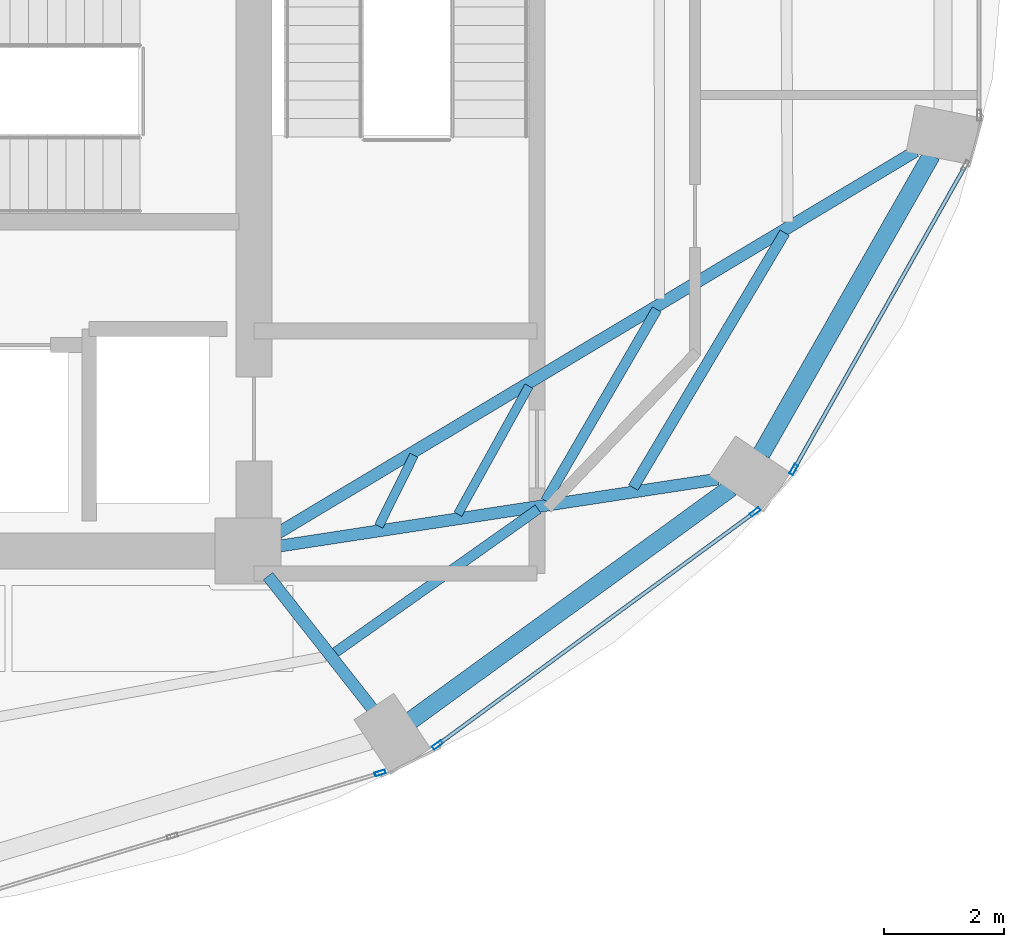
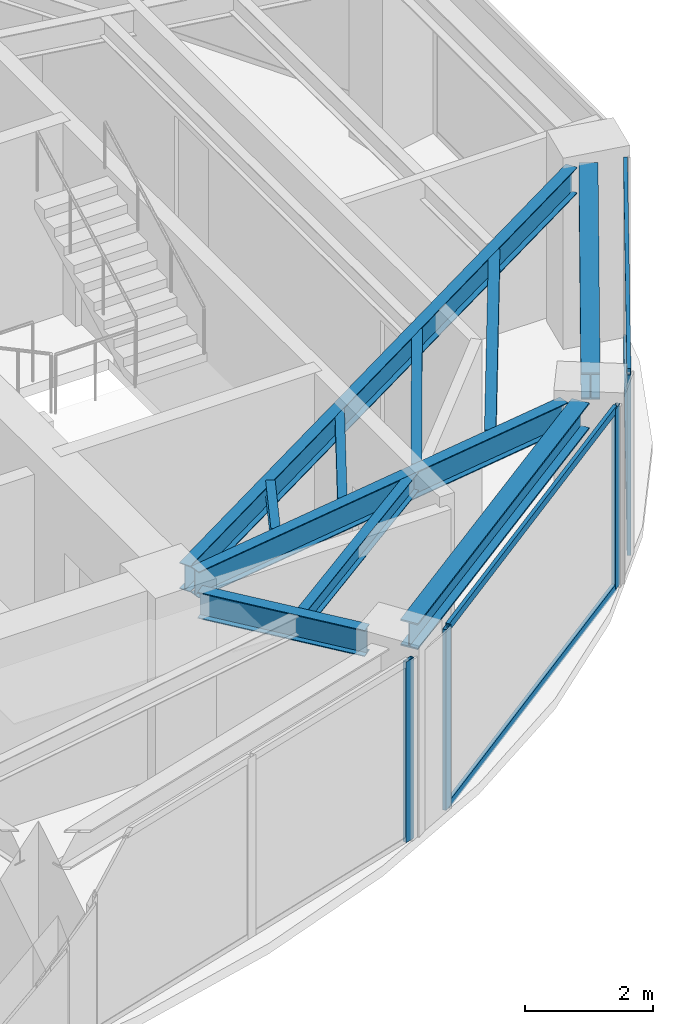
# One storey, part 13 of 23: 10 beams, 8 members, 3 elements without a shape of their own.
"""IFC4 building model written with IfcOpenShell, lengths in metres."""

from ifc_helpers import new_model, si_unit, direction, frame, origin, origin_2d, place, context, subcontext, project, spatial, hollow_rectangle, i_section, extrude, material, layer, layer_set, material_profile, profile_set, type_object, element, aggregate, save


model = new_model("IFC4")

# Units and contexts
model_context = context("Model", 3, precision=1e-05, world=origin(), true_north=direction((0.0, 1.0)))
body_context = subcontext(model_context, "Body", "Model", "MODEL_VIEW")
ifc_project = project(units=[si_unit("LENGTHUNIT", "METRE"), si_unit("AREAUNIT", "SQUARE_METRE"), si_unit("VOLUMEUNIT", "CUBIC_METRE"), si_unit("PLANEANGLEUNIT", "RADIAN"), si_unit("MASSUNIT", "GRAM", prefix="KILO")], contexts=[model_context])

# Site, building, storey
site_placement = place(None, origin())
site = spatial("IfcSite", under=ifc_project, at=site_placement, CompositionType="ELEMENT")
building_placement = place(site_placement, origin())
building = spatial("IfcBuilding", under=site, at=building_placement, Name="Lazwardi Medical Tower", CompositionType="ELEMENT")
storey_placement = place(building_placement, frame((0.0, 0.0, 205.77587890625)))
storey = spatial("IfcBuildingStorey", under=building, at=storey_placement, Name="L53", CompositionType="ELEMENT", Elevation=205.77587890625)

# Beams
ifc_material_1 = material(Name="Steel S355", Category="steel")
ifc_material_profile_1 = material_profile(ifc_material_1, i_section(OverallWidth=0.300048828125, OverallDepth=0.5, WebThickness=0.014404296875, FlangeThickness=0.028076171875, at=origin_2d()), Name="HEB 500")
ifc_profile_set_1 = profile_set([ifc_material_profile_1], Name="Steel S355")
beam_type_1 = type_object("IfcBeamType", Name="BM-RB-Z4", PredefinedType="BEAM", material=ifc_profile_set_1)
beam_1_placement = place(storey_placement, frame((48.31591796875, 17.5751953125, 3.1982421875), z_axis=(0.808889916254, 0.587960120571, 0.0), x_axis=(-0.587960120571, 0.808889916254, 0.0)))
element("IfcBeam", 1, at=beam_1_placement, inside=storey, type_object=beam_type_1, Name="Ring beam RB-05 B02 L53", PredefinedType="BEAM", context=body_context, shape_type="SweptSolid", body=[
    extrude(i_section(OverallWidth=0.300048828125, OverallDepth=0.5, WebThickness=0.014404296875, FlangeThickness=0.028076171875, at=origin_2d()), origin(), (0.0, 0.0, 1.0), 6.587158203125),
])
beam_2_placement = place(storey_placement, frame((54.15283203125, 22.016357421875, 3.1982421875), z_axis=(0.495125273299, 0.868821594886, 0.0), x_axis=(-0.868821594886, 0.495125273299, 0.0)))
element("IfcBeam", 2, at=beam_2_placement, inside=storey, type_object=beam_type_1, Name="Ring beam RB-05 B03 L53", PredefinedType="BEAM", context=body_context, shape_type="SweptSolid", body=[
    extrude(i_section(OverallWidth=0.300048828125, OverallDepth=0.5, WebThickness=0.014404296875, FlangeThickness=0.028076171875, at=origin_2d()), origin(), (0.0, 0.0, 1.0), 5.734130859375),
])
ifc_material_profile_2 = material_profile(ifc_material_1, i_section(OverallWidth=0.199951171875, OverallDepth=0.5, WebThickness=0.01025390625, FlangeThickness=0.01611328125, at=origin_2d()), Name="IPE 500")
ifc_profile_set_2 = profile_set([ifc_material_profile_2], Name="Steel S355")
beam_type_2 = type_object("IfcBeamType", Name="BM-RG-W3", PredefinedType="BEAM", material=ifc_profile_set_2)
beam_3_placement = place(storey_placement, frame((47.669677734375, 17.7666015625, 3.1982421875), z_axis=(-0.617890508382, 0.786264153864, 0.0), x_axis=(-0.786264153864, -0.617890508382, 0.0)))
element("IfcBeam", 3, at=beam_3_placement, inside=storey, type_object=beam_type_2, Name="Radial girder RG-04 R02 L53", PredefinedType="BEAM", context=body_context, shape_type="SweptSolid", body=[
    extrude(i_section(OverallWidth=0.199951171875, OverallDepth=0.5, WebThickness=0.01025390625, FlangeThickness=0.01611328125, at=origin_2d()), origin(), (0.0, 0.0, 1.0), 2.814453125),
])
beam_4_placement = place(storey_placement, frame((53.430908203125, 21.5966796875, 3.1982421875), z_axis=(-0.988522137285, -0.151076087115, 0.0), x_axis=(0.151076087115, -0.988522137285, 0.0)))
element("IfcBeam", 4, at=beam_4_placement, inside=storey, type_object=beam_type_2, Name="Radial girder RG-04 R03 L53", PredefinedType="BEAM", context=body_context, shape_type="SweptSolid", body=[
    extrude(i_section(OverallWidth=0.199951171875, OverallDepth=0.5, WebThickness=0.01025390625, FlangeThickness=0.01611328125, at=origin_2d()), origin(), (0.0, 0.0, 1.0), 7.38671875),
])
beam_5_placement = place(storey_placement, frame((56.72607421875, 27.062255859375, 3.1982421875), z_axis=(-0.857944804603, -0.513741873176, 0.0), x_axis=(0.513741873176, -0.857944804603, 0.0)))
element("IfcBeam", 5, at=beam_5_placement, inside=storey, type_object=beam_type_2, Name="Radial girder RG-04 R04 L53", PredefinedType="BEAM", context=body_context, shape_type="SweptSolid", body=[
    extrude(i_section(OverallWidth=0.199951171875, OverallDepth=0.5, WebThickness=0.01025390625, FlangeThickness=0.01611328125, at=origin_2d()), origin(), (0.0, 0.0, 1.0), 12.43310546875),
])
ifc_material_profile_3 = material_profile(ifc_material_1, i_section(OverallWidth=0.179931640625, OverallDepth=0.39990234375, WebThickness=0.008544921875, FlangeThickness=0.013427734375, at=origin_2d()), Name="IPE 400")
ifc_profile_set_3 = profile_set([ifc_material_profile_3], Name="Steel S355")
beam_type_3 = type_object("IfcBeamType", Name="BM-SJ-01", PredefinedType="JOIST", material=ifc_profile_set_3)
beam_6_placement = place(storey_placement, frame((52.01904296875, 21.455078125, 3.248046875), z_axis=(0.510967866251, 0.859599813668, 0.0), x_axis=(-0.859599813668, 0.510967866251, 0.0)))
element("IfcBeam", 6, at=beam_6_placement, inside=storey, type_object=beam_type_3, Name="Secondary joist SJ-01 R1 B03 L53", PredefinedType="JOIST", context=body_context, shape_type="SweptSolid", body=[
    extrude(i_section(OverallWidth=0.179931640625, OverallDepth=0.39990234375, WebThickness=0.008544921875, FlangeThickness=0.013427734375, at=origin_2d()), origin(), (0.0, 0.0, 1.0), 4.94189453125),
])
ifc_material_profile_4 = material_profile(ifc_material_1, i_section(OverallWidth=0.169921875, OverallDepth=0.360107421875, WebThickness=0.008056640625, FlangeThickness=0.0126953125, at=origin_2d()), Name="IPE 360")
ifc_profile_set_4 = profile_set([ifc_material_profile_4], Name="Steel S355")
beam_type_4 = type_object("IfcBeamType", Name="BM-SJ-02", PredefinedType="JOIST", material=ifc_profile_set_4)
beam_7_placement = place(storey_placement, frame((47.051513671875, 18.70654296875, 3.26806640625), z_axis=(0.816711190406, 0.577046645832, 0.0), x_axis=(-0.577046645832, 0.816711190406, 0.0)))
element("IfcBeam", 7, at=beam_7_placement, inside=storey, type_object=beam_type_4, Name="Secondary joist SJ-02 R2 B02 L53", PredefinedType="JOIST", context=body_context, shape_type="SweptSolid", body=[
    extrude(i_section(OverallWidth=0.169921875, OverallDepth=0.360107421875, WebThickness=0.008056640625, FlangeThickness=0.0126953125, at=origin_2d()), origin(), (0.0, 0.0, 1.0), 4.139892578125),
])
beam_8_placement = place(storey_placement, frame((50.5576171875, 21.232421875, 3.26806640625), z_axis=(0.50218018565, 0.864763008657, 0.0), x_axis=(-0.864763008657, 0.50218018565, 0.0)))
element("IfcBeam", 8, at=beam_8_placement, inside=storey, type_object=beam_type_4, Name="Secondary joist SJ-02 R2 B03 L53", PredefinedType="JOIST", context=body_context, shape_type="SweptSolid", body=[
    extrude(i_section(OverallWidth=0.169921875, OverallDepth=0.360107421875, WebThickness=0.008056640625, FlangeThickness=0.0126953125, at=origin_2d()), origin(), (0.0, 0.0, 1.0), 3.69189453125),
])
ifc_material_profile_5 = material_profile(ifc_material_1, i_section(OverallWidth=0.14990234375, OverallDepth=0.300048828125, WebThickness=0.007080078125, FlangeThickness=0.0107421875, at=origin_2d()), Name="IPE 300")
ifc_profile_set_5 = profile_set([ifc_material_profile_5], Name="Steel S355")
beam_type_5 = type_object("IfcBeamType", Name="BM-SJ-03", PredefinedType="JOIST", material=ifc_profile_set_5)
beam_9_placement = place(storey_placement, frame((49.095703125, 21.01025390625, 3.298095703125), z_axis=(0.484751625998, 0.874651851363, 0.0), x_axis=(-0.874651851363, 0.484751625998, 0.0)))
element("IfcBeam", 9, at=beam_9_placement, inside=storey, type_object=beam_type_5, Name="Secondary joist SJ-03 R3 B03 L53", PredefinedType="JOIST", context=body_context, shape_type="SweptSolid", body=[
    extrude(i_section(OverallWidth=0.14990234375, OverallDepth=0.300048828125, WebThickness=0.007080078125, FlangeThickness=0.0107421875, at=origin_2d()), origin(), (0.0, 0.0, 1.0), 2.442626953125),
])
beam_10_placement = place(storey_placement, frame((47.777587890625, 20.811279296875, 3.298095703125), z_axis=(0.443587297772, 0.89623116954, 0.0), x_axis=(-0.89623116954, 0.443587297772, 0.0)))
element("IfcBeam", 10, at=beam_10_placement, inside=storey, type_object=beam_type_5, Name="Secondary joist SJ-03 R4 B03 L53", PredefinedType="JOIST", context=body_context, shape_type="SweptSolid", body=[
    extrude(i_section(OverallWidth=0.14990234375, OverallDepth=0.300048828125, WebThickness=0.007080078125, FlangeThickness=0.0107421875, at=origin_2d()), origin(), (0.0, 0.0, 1.0), 1.32080078125),
])

# Curtain wall, member
ifc_material_2 = material(Name="Anodised bronze aluminium and solar control glazing", Category="aluminium")
ifc_layer = layer(ifc_material_2, 0.18994140625)
ifc_layer_set = layer_set([ifc_layer], Name="Anodised bronze aluminium and solar control glazing")
curtain_wall_type = type_object("IfcCurtainWallType", Name="CW-SYS-04", PredefinedType="NOTDEFINED", material=ifc_layer_set)
curtain_wall_1_placement = place(storey_placement, origin())
curtain_wall_1 = element("IfcCurtainWall", 11, at=curtain_wall_1_placement, inside=storey, type_object=curtain_wall_type, Name="L53 Unitised bronze curtain wall CW-04", PredefinedType="NOTDEFINED")
ifc_material_3 = material(Name="Anodised bronze aluminium", Category="aluminium")
ifc_material_profile_6 = material_profile(ifc_material_3, hollow_rectangle(XDim=0.06494140625, YDim=0.179931640625, WallThickness=0.00390625, at=origin_2d()), Name="ALU-MULLION 180x65x4")
ifc_profile_set_6 = profile_set([ifc_material_profile_6], Name="Anodised bronze aluminium")
member_type_1 = type_object("IfcMemberType", Name="CW-MUL-03", PredefinedType="MULLION", material=ifc_profile_set_6)
member_1_placement = place(storey_placement, frame((47.7998046875, 16.696533203125, 0.0), z_axis=(0.0, 0.0, 1.0), x_axis=(-0.290581889515, 0.956850126972, 0.0)))
member_1 = element("IfcMember", 12, at=member_1_placement, type_object=member_type_1, Name="CW-04 mullion 3", PredefinedType="MULLION", context=body_context, shape_type="SweptSolid", body=[
    extrude(hollow_rectangle(XDim=0.06494140625, YDim=0.179931640625, WallThickness=0.00390625, at=origin_2d()), origin(), (0.0, 0.0, 1.0), 3.4482421875),
])
aggregate(curtain_wall_1, [member_1])

# Curtain wall, members
curtain_wall_2_placement = place(storey_placement, origin())
curtain_wall_2 = element("IfcCurtainWall", 13, at=curtain_wall_2_placement, inside=storey, type_object=curtain_wall_type, Name="L53 Unitised bronze curtain wall CW-04", PredefinedType="NOTDEFINED")
member_2_placement = place(storey_placement, frame((48.75537109375, 17.1650390625, 0.0), z_axis=(0.0, 0.0, 1.0), x_axis=(-0.591268230971, 0.806474971121, 0.0)))
member_2 = element("IfcMember", 14, at=member_2_placement, type_object=member_type_1, Name="CW-04 mullion 1", PredefinedType="MULLION", context=body_context, shape_type="SweptSolid", body=[
    extrude(hollow_rectangle(XDim=0.06494140625, YDim=0.179931640625, WallThickness=0.00390625, at=origin_2d()), origin(), (0.0, 0.0, 1.0), 3.4482421875),
])
member_3_placement = place(storey_placement, frame((54.052001953125, 21.04833984375, 0.0), z_axis=(0.0, 0.0, 1.0), x_axis=(-0.591268230971, 0.806474971121, 0.0)))
member_3 = element("IfcMember", 15, at=member_3_placement, type_object=member_type_1, Name="CW-04 mullion 2", PredefinedType="MULLION", context=body_context, shape_type="SweptSolid", body=[
    extrude(hollow_rectangle(XDim=0.06494140625, YDim=0.179931640625, WallThickness=0.00390625, at=origin_2d()), origin(), (0.0, 0.0, 1.0), 3.4482421875),
])

# Curtain wall, member
curtain_wall_3_placement = place(storey_placement, origin())
curtain_wall_3 = element("IfcCurtainWall", 16, at=curtain_wall_3_placement, inside=storey, type_object=curtain_wall_type, Name="L53 Unitised bronze curtain wall CW-04", PredefinedType="NOTDEFINED")
member_4_placement = place(storey_placement, frame((54.6943359375, 21.75439453125, 0.0), z_axis=(0.0, 0.0, 1.0), x_axis=(-0.870651436011, 0.491900474661, 0.0)))
member_4 = element("IfcMember", 17, at=member_4_placement, type_object=member_type_1, Name="CW-04 mullion 1", PredefinedType="MULLION", context=body_context, shape_type="SweptSolid", body=[
    extrude(hollow_rectangle(XDim=0.06494140625, YDim=0.179931640625, WallThickness=0.00390625, at=origin_2d()), origin(), (0.0, 0.0, 1.0), 3.4482421875),
])

# Member
ifc_material_profile_7 = material_profile(ifc_material_3, hollow_rectangle(XDim=0.06494140625, YDim=0.139892578125, WallThickness=0.00341796875, at=origin_2d()), Name="ALU-TRANSOM 140x65x3.5")
ifc_profile_set_7 = profile_set([ifc_material_profile_7], Name="Anodised bronze aluminium")
member_type_2 = type_object("IfcMemberType", Name="CW-TRN-03", PredefinedType="USERDEFINED", material=ifc_profile_set_7)
member_5_placement = place(storey_placement, frame((48.781494140625, 17.184326171875, 0.03271484375), z_axis=(0.80648973359, 0.591248094808, 0.0), x_axis=(-0.591248094808, 0.80648973359, 0.0)))
member_5 = element("IfcMember", 18, at=member_5_placement, type_object=member_type_2, Name="CW-04 transom 1.1", ObjectType="TRANSOM", PredefinedType="USERDEFINED", context=body_context, shape_type="SweptSolid", body=[
    extrude(hollow_rectangle(XDim=0.06494140625, YDim=0.139892578125, WallThickness=0.00341796875, at=origin_2d()), origin(), (0.0, 0.0, 1.0), 6.502685546875),
])

member_6_placement = place(storey_placement, frame((48.781494140625, 17.184326171875, 3.41552734375), z_axis=(0.80648973359, 0.591248094808, 0.0), x_axis=(-0.591248094808, 0.80648973359, 0.0)))
member_6 = element("IfcMember", 19, at=member_6_placement, type_object=member_type_2, Name="CW-04 transom 1.2", ObjectType="TRANSOM", PredefinedType="USERDEFINED", context=body_context, shape_type="SweptSolid", body=[
    extrude(hollow_rectangle(XDim=0.06494140625, YDim=0.139892578125, WallThickness=0.00341796875, at=origin_2d()), origin(), (0.0, 0.0, 1.0), 6.502685546875),
])

aggregate(curtain_wall_2, [member_2, member_3, member_5, member_6])

member_7_placement = place(storey_placement, frame((54.71044921875, 21.78271484375, 0.03271484375), z_axis=(0.491879719484, 0.87066316194, 0.0), x_axis=(-0.87066316194, 0.491879719484, 0.0)))
member_7 = element("IfcMember", 20, at=member_7_placement, type_object=member_type_2, Name="CW-04 transom 1.1", ObjectType="TRANSOM", PredefinedType="USERDEFINED", context=body_context, shape_type="SweptSolid", body=[
    extrude(hollow_rectangle(XDim=0.06494140625, YDim=0.139892578125, WallThickness=0.00341796875, at=origin_2d()), origin(), (0.0, 0.0, 1.0), 5.755126953125),
])

member_8_placement = place(storey_placement, frame((54.71044921875, 21.78271484375, 3.41552734375), z_axis=(0.491879719484, 0.87066316194, 0.0), x_axis=(-0.87066316194, 0.491879719484, 0.0)))
member_8 = element("IfcMember", 21, at=member_8_placement, type_object=member_type_2, Name="CW-04 transom 1.2", ObjectType="TRANSOM", PredefinedType="USERDEFINED", context=body_context, shape_type="SweptSolid", body=[
    extrude(hollow_rectangle(XDim=0.06494140625, YDim=0.139892578125, WallThickness=0.00341796875, at=origin_2d()), origin(), (0.0, 0.0, 1.0), 5.755126953125),
])

aggregate(curtain_wall_3, [member_4, member_7, member_8])

save(model, "model.ifc")
